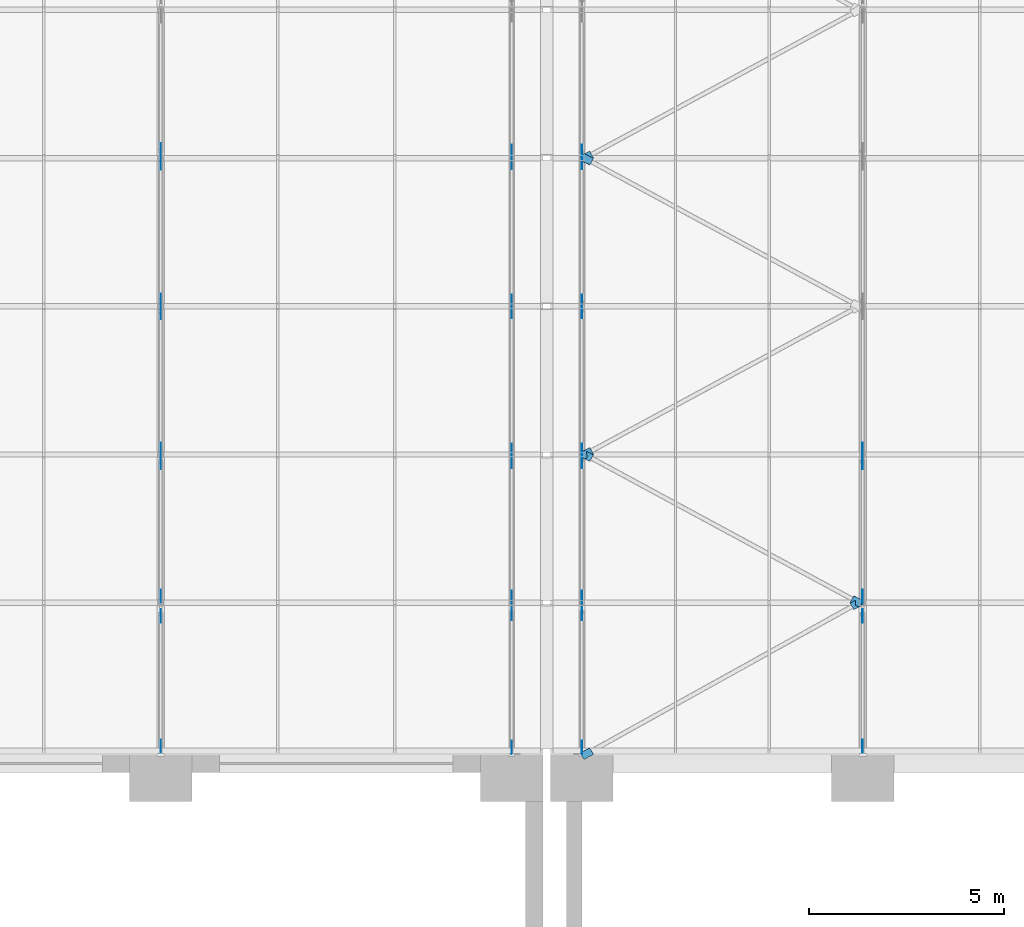
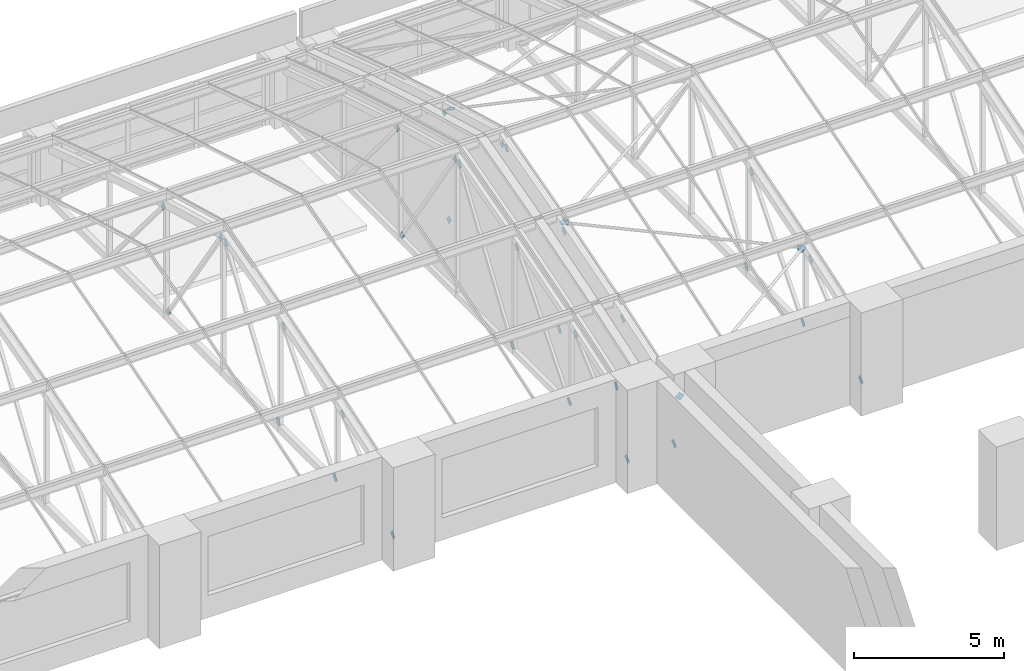
# One storey, part 71 of 82: 39 discrete accessories.
"""IFC4 building model written with IfcOpenShell, lengths in metres."""

from ifc_helpers import new_model, si_unit, direction, frame, origin, place, context, subcontext, project, spatial, polyline, outline, extrude, material, layer, layer_set, type_object, element, save


model = new_model("IFC4")

# Units and contexts
model_context = context("Model", 3, precision=1e-05, world=origin(), true_north=direction((0.0, 1.0)))
body_context = subcontext(model_context, "Body", "Model", "MODEL_VIEW")
ifc_project = project(units=[si_unit("LENGTHUNIT", "METRE"), si_unit("AREAUNIT", "SQUARE_METRE"), si_unit("VOLUMEUNIT", "CUBIC_METRE"), si_unit("PLANEANGLEUNIT", "RADIAN"), si_unit("MASSUNIT", "GRAM", prefix="KILO")], contexts=[model_context])

# Site, building, storey
site_placement = place(None, origin())
site = spatial("IfcSite", under=ifc_project, at=site_placement, CompositionType="ELEMENT")
building_placement = place(site_placement, origin())
building = spatial("IfcBuilding", under=site, at=building_placement, Name="Aravalli Gate Trade Fair Centre", CompositionType="ELEMENT")
storey_placement = place(building_placement, frame((0.0, 0.0, 19.199951171875)))
storey = spatial("IfcBuildingStorey", under=building, at=storey_placement, Name="L04", CompositionType="ELEMENT", Elevation=19.199951171875)

# Discrete accessories
ifc_material = material(Name="Steel E350", Category="steel")
ifc_layer = layer(ifc_material, 0.010009765625)
ifc_layer_set = layer_set([ifc_layer], Name="Steel E350")
discrete_accessory_type = type_object("IfcDiscreteAccessoryType", Name="Gusset plate 200 x 200 x 10", PredefinedType="USERDEFINED", material=ifc_layer_set)
discrete_accessory_1_placement = place(storey_placement, frame((95.9951171875, 109.990234375, 0.355224609375), z_axis=(-1.0, 0.0, 0.0), x_axis=(0.0, -0.756666176812, -0.653801420057)))
element("IfcDiscreteAccessory", 1, at=discrete_accessory_1_placement, inside=storey, type_object=discrete_accessory_type, Name="Gusset plate Concourse vault truss CT1 line 11 diagonal D1 end A", ObjectType="GUSSET PLATE", PredefinedType="USERDEFINED", context=body_context, shape_type="SweptSolid", body=[
    extrude(outline(polyline([(0.0, 0.0), (0.28006281897354945, 0.0), (0.28009048635135136, 0.1997461238225559), (5.27808438066657e-05, 0.2000904762631978), (0.0, 0.0)])), origin(), (0.0, 0.0, -1.0), 0.010009765625),
])
discrete_accessory_2_placement = place(storey_placement, frame((95.9951171875, 112.988525390625, 3.212158203125), z_axis=(-1.0, 0.0, 0.0), x_axis=(0.0, 0.756293179151, 0.654232853937)))
element("IfcDiscreteAccessory", 2, at=discrete_accessory_2_placement, inside=storey, type_object=discrete_accessory_type, Name="Gusset plate Concourse vault truss CT1 line 11 diagonal D1 end B", ObjectType="GUSSET PLATE", PredefinedType="USERDEFINED", context=body_context, shape_type="SweptSolid", body=[
    extrude(outline(polyline([(0.0, 0.0), (0.2798781315371493, 0.0), (0.27981679720709274, 0.20009047382409476), (-6.133433005656164e-05, 0.20009047382409473), (0.0, 0.0)])), origin(), (0.0, 0.0, -1.0), 0.010009765625),
])
discrete_accessory_3_placement = place(storey_placement, frame((96.0048828125, 113.677978515625, 0.517578125), z_axis=(1.0, 0.0, 0.0), x_axis=(0.0, -0.642926085547, -0.765928226744)))
element("IfcDiscreteAccessory", 3, at=discrete_accessory_3_placement, inside=storey, type_object=discrete_accessory_type, Name="Gusset plate Concourse vault truss CT1 line 11 diagonal D2 end A", ObjectType="GUSSET PLATE", PredefinedType="USERDEFINED", context=body_context, shape_type="SweptSolid", body=[
    extrude(outline(polyline([(0.0, 0.0), (0.2798636494456477, 2.7755575615628914e-17), (0.2799929267542597, 0.1999655872196676), (-2.768706774226859e-05, 0.20015258141565), (0.0, 0.0)])), origin(), (0.0, 0.0, -1.0), 0.010009765625),
])
discrete_accessory_4_placement = place(storey_placement, frame((95.9951171875, 116.918212890625, 4.374267578125), z_axis=(-1.0, 0.0, 0.0), x_axis=(0.0, 0.643008166301, 0.765859320025)))
element("IfcDiscreteAccessory", 4, at=discrete_accessory_4_placement, inside=storey, type_object=discrete_accessory_type, Name="Gusset plate Concourse vault truss CT1 line 11 diagonal D2 end B", ObjectType="GUSSET PLATE", PredefinedType="USERDEFINED", context=body_context, shape_type="SweptSolid", body=[
    extrude(outline(polyline([(0.0, 0.0), (0.28020760962713065, 0.0), (0.2802567470255098, 0.2001525772990151), (-0.00010784701722174606, 0.19996559992596197), (0.0, 0.0)])), origin(), (0.0, 0.0, -1.0), 0.010009765625),
])
discrete_accessory_5_placement = place(storey_placement, frame((96.0048828125, 117.432373046875, 0.521728515625), z_axis=(1.0, 0.0, 0.0), x_axis=(0.0, -0.563120416317, -0.826374852429)))
element("IfcDiscreteAccessory", 5, at=discrete_accessory_5_placement, inside=storey, type_object=discrete_accessory_type, Name="Gusset plate Concourse vault truss CT1 line 11 diagonal D3 end A", ObjectType="GUSSET PLATE", PredefinedType="USERDEFINED", context=body_context, shape_type="SweptSolid", body=[
    extrude(outline(polyline([(0.0, 0.0), (0.28007303443443027, 0.0), (0.2800062095132191, 0.19996442554114646), (0.00013492675174497926, 0.20010190611153644), (0.0, 0.0)])), origin(), (0.0, 0.0, -1.0), 0.010009765625),
])
discrete_accessory_6_placement = place(storey_placement, frame((95.9951171875, 120.77392578125, 5.423828125), z_axis=(-1.0, 0.0, 0.0), x_axis=(0.0, 0.564121160258, 0.82569202282)))
element("IfcDiscreteAccessory", 6, at=discrete_accessory_6_placement, inside=storey, type_object=discrete_accessory_type, Name="Gusset plate Concourse vault truss CT1 line 11 diagonal D3 end B", ObjectType="GUSSET PLATE", PredefinedType="USERDEFINED", context=body_context, shape_type="SweptSolid", body=[
    extrude(outline(polyline([(0.0, 0.0), (0.2800089688227054, -2.7755575615628914e-17), (0.2801803266875835, 0.19976261286755298), (0.00010749779101053292, 0.20010192272670302), (0.0, 0.0)])), origin(), (0.0, 0.0, -1.0), 0.010009765625),
])
discrete_accessory_7_placement = place(storey_placement, frame((95.9951171875, 121.2607421875, 5.31103515625), z_axis=(-1.0, 0.0, 0.0), x_axis=(0.0, -0.563120416317, 0.826374852429)))
element("IfcDiscreteAccessory", 7, at=discrete_accessory_7_placement, inside=storey, type_object=discrete_accessory_type, Name="Gusset plate Concourse vault truss CT1 line 11 diagonal D4 end A", ObjectType="GUSSET PLATE", PredefinedType="USERDEFINED", context=body_context, shape_type="SweptSolid", body=[
    extrude(outline(polyline([(0.0, 0.0), (0.28007303443443027, 0.0), (0.2800062095132191, 0.19996442554114646), (0.00013492675174497926, 0.20010190611153644), (0.0, 0.0)])), origin(), (0.0, 0.0, -1.0), 0.010009765625),
])
discrete_accessory_8_placement = place(storey_placement, frame((96.0048828125, 124.602294921875, 0.408935546875), z_axis=(1.0, 0.0, 0.0), x_axis=(0.0, 0.563526286674, -0.826098132323)))
element("IfcDiscreteAccessory", 8, at=discrete_accessory_8_placement, inside=storey, type_object=discrete_accessory_type, Name="Gusset plate Concourse vault truss CT1 line 11 diagonal D4 end B", ObjectType="GUSSET PLATE", PredefinedType="USERDEFINED", context=body_context, shape_type="SweptSolid", body=[
    extrude(outline(polyline([(0.0, 0.0), (0.279871316528615, 0.0), (0.2800363695260922, 0.19996436858870342), (-3.6631116859461854e-05, 0.20010194824853597), (0.0, 0.0)])), origin(), (0.0, 0.0, -1.0), 0.010009765625),
])
discrete_accessory_9_placement = place(storey_placement, frame((95.9951171875, 125.128662109375, 4.24560546875), z_axis=(-1.0, 0.0, 0.0), x_axis=(0.0, -0.643008166301, 0.765859320025)))
element("IfcDiscreteAccessory", 9, at=discrete_accessory_9_placement, inside=storey, type_object=discrete_accessory_type, Name="Gusset plate Concourse vault truss CT1 line 11 diagonal D5 end A", ObjectType="GUSSET PLATE", PredefinedType="USERDEFINED", context=body_context, shape_type="SweptSolid", body=[
    extrude(outline(polyline([(0.0, 0.0), (0.28020760962713065, 0.0), (0.2803154566443524, 0.19996559992596197), (0.00010784701722174606, 0.19996559992596197), (0.0, 0.0)])), origin(), (0.0, 0.0, -1.0), 0.010009765625),
])
discrete_accessory_10_placement = place(storey_placement, frame((104.9951171875, 109.958740234375, 0.306884765625), z_axis=(-1.0, 0.0, 0.0), x_axis=(0.0, -0.751387517828, -0.65986119605)))
element("IfcDiscreteAccessory", 10, at=discrete_accessory_10_placement, inside=storey, type_object=discrete_accessory_type, Name="Gusset plate Concourse vault truss CT2 line 12 diagonal D1 end A", ObjectType="GUSSET PLATE", PredefinedType="USERDEFINED", context=body_context, shape_type="SweptSolid", body=[
    extrude(outline(polyline([(0.0, 0.0), (0.28008080219175713, 0.0), (0.28008718656130066, 0.2001561567492655), (0.0001674832943605875, 0.19997271253104593), (0.0, 0.0)])), origin(), (0.0, 0.0, -1.0), 0.010009765625),
])
discrete_accessory_11_placement = place(storey_placement, frame((104.9951171875, 113.0439453125, 3.28125), z_axis=(-1.0, 0.0, 0.0), x_axis=(0.0, 0.751387517828, 0.65986119605)))
element("IfcDiscreteAccessory", 11, at=discrete_accessory_11_placement, inside=storey, type_object=discrete_accessory_type, Name="Gusset plate Concourse vault truss CT2 line 12 diagonal D1 end B", ObjectType="GUSSET PLATE", PredefinedType="USERDEFINED", context=body_context, shape_type="SweptSolid", body=[
    extrude(outline(polyline([(0.0, 0.0), (0.28008080219175713, 0.0), (0.2799037423430811, 0.19999505782444854), (-0.00017705984867599778, 0.19999505782444854), (0.0, 0.0)])), origin(), (0.0, 0.0, -1.0), 0.010009765625),
])
discrete_accessory_12_placement = place(storey_placement, frame((105.0048828125, 113.65478515625, 0.4677734375), z_axis=(1.0, 0.0, 0.0), x_axis=(0.0, -0.639154613672, -0.769078266383)))
element("IfcDiscreteAccessory", 12, at=discrete_accessory_12_placement, inside=storey, type_object=discrete_accessory_type, Name="Gusset plate Concourse vault truss CT2 line 12 diagonal D2 end A", ObjectType="GUSSET PLATE", PredefinedType="USERDEFINED", context=body_context, shape_type="SweptSolid", body=[
    extrude(outline(polyline([(0.0, 0.0), (0.27998714911398315, 0.0), (0.27987985582905256, 0.19990165302035742), (8.046996369795445e-05, 0.20005769662721085), (0.0, 0.0)])), origin(), (0.0, 0.0, -1.0), 0.010009765625),
])
discrete_accessory_13_placement = place(storey_placement, frame((104.9951171875, 116.950439453125, 4.43505859375), z_axis=(-1.0, 0.0, 0.0), x_axis=(0.0, 0.639154613672, 0.769078266383)))
element("IfcDiscreteAccessory", 13, at=discrete_accessory_13_placement, inside=storey, type_object=discrete_accessory_type, Name="Gusset plate Concourse vault truss CT2 line 12 diagonal D2 end B", ObjectType="GUSSET PLATE", PredefinedType="USERDEFINED", context=body_context, shape_type="SweptSolid", body=[
    extrude(outline(polyline([(0.0, 0.0), (0.27998714911398315, 0.0), (0.28009444239891373, 0.1999016530203574), (-8.046996369795445e-05, 0.20005769662721085), (0.0, 0.0)])), origin(), (0.0, 0.0, -1.0), 0.010009765625),
])
discrete_accessory_14_placement = place(storey_placement, frame((105.0048828125, 117.41357421875, 0.4716796875), z_axis=(1.0, 0.0, 0.0), x_axis=(0.0, -0.559922143082, -0.828545227303)))
element("IfcDiscreteAccessory", 14, at=discrete_accessory_14_placement, inside=storey, type_object=discrete_accessory_type, Name="Gusset plate Concourse vault truss CT2 line 12 diagonal D3 end A", ObjectType="GUSSET PLATE", PredefinedType="USERDEFINED", context=body_context, shape_type="SweptSolid", body=[
    extrude(outline(polyline([(0.0, 0.0), (0.27992870649326795, 0.0), (0.27995681298226976, 0.2000943537630191), (-3.74753186691279e-05, 0.19975537247142117), (0.0, 0.0)])), origin(), (0.0, 0.0, -1.0), 0.010009765625),
])
discrete_accessory_15_placement = place(storey_placement, frame((104.9951171875, 120.797607421875, 5.481201171875), z_axis=(-1.0, 0.0, 0.0), x_axis=(0.0, 0.559322982609, 0.828949818219)))
element("IfcDiscreteAccessory", 15, at=discrete_accessory_15_placement, inside=storey, type_object=discrete_accessory_type, Name="Gusset plate Concourse vault truss CT2 line 12 diagonal D3 end B", ObjectType="GUSSET PLATE", PredefinedType="USERDEFINED", context=body_context, shape_type="SweptSolid", body=[
    extrude(outline(polyline([(0.0, 0.0), (0.2797920798731574, 0.0), (0.2798216913104345, 0.19995772768692557), (-0.0003093223519876065, 0.19989190082276292), (0.0, 0.0)])), origin(), (0.0, 0.0, -1.0), 0.010009765625),
])
discrete_accessory_16_placement = place(storey_placement, frame((104.9951171875, 121.23681640625, 5.369140625), z_axis=(-1.0, 0.0, 0.0), x_axis=(0.0, -0.559517758756, 0.82881836227)))
element("IfcDiscreteAccessory", 16, at=discrete_accessory_16_placement, inside=storey, type_object=discrete_accessory_type, Name="Gusset plate Concourse vault truss CT2 line 12 diagonal D4 end A", ObjectType="GUSSET PLATE", PredefinedType="USERDEFINED", context=body_context, shape_type="SweptSolid", body=[
    extrude(outline(polyline([(0.0, 0.0), (0.2801310213966175, 0.0), (0.28005442269643727, 0.19995771520797853), (0.0001257495327958852, 0.20009431622329993), (0.0, 0.0)])), origin(), (0.0, 0.0, -1.0), 0.010009765625),
])
discrete_accessory_17_placement = place(storey_placement, frame((105.0048828125, 124.620849609375, 0.35986328125), z_axis=(1.0, 0.0, 0.0), x_axis=(0.0, 0.559517758756, -0.82881836227)))
element("IfcDiscreteAccessory", 17, at=discrete_accessory_17_placement, inside=storey, type_object=discrete_accessory_type, Name="Gusset plate Concourse vault truss CT2 line 12 diagonal D4 end B", ObjectType="GUSSET PLATE", PredefinedType="USERDEFINED", context=body_context, shape_type="SweptSolid", body=[
    extrude(outline(polyline([(0.0, 0.0), (0.2801310213966175, 0.0), (0.2798686708485002, 0.19989196799032383), (7.65987001802304e-05, 0.1999577152079785), (0.0, 0.0)])), origin(), (0.0, 0.0, -1.0), 0.010009765625),
])
discrete_accessory_18_placement = place(storey_placement, frame((104.9951171875, 125.095703125, 4.30712890625), z_axis=(-1.0, 0.0, 0.0), x_axis=(0.0, -0.638726175947, 0.76943412464)))
element("IfcDiscreteAccessory", 18, at=discrete_accessory_18_placement, inside=storey, type_object=discrete_accessory_type, Name="Gusset plate Concourse vault truss CT2 line 12 diagonal D5 end A", ObjectType="GUSSET PLATE", PredefinedType="USERDEFINED", context=body_context, shape_type="SweptSolid", body=[
    extrude(outline(polyline([(0.0, 0.0), (0.28017495581690455, 0.0), (0.2800230588843413, 0.20008953190135664), (0.0001918922033221776, 0.20005762078107026), (0.0, 0.0)])), origin(), (0.0, 0.0, -1.0), 0.010009765625),
])
discrete_accessory_19_placement = place(storey_placement, frame((106.804931640625, 109.82666015625, 0.45703125), z_axis=(1.0, 0.0, 0.0), x_axis=(0.0, -0.751819793684, -0.65936863576)))
element("IfcDiscreteAccessory", 19, at=discrete_accessory_19_placement, inside=storey, type_object=discrete_accessory_type, Name="Gusset plate Concourse vault truss CT2 line 12A diagonal D1 end A", ObjectType="GUSSET PLATE", PredefinedType="USERDEFINED", context=body_context, shape_type="SweptSolid", body=[
    extrude(outline(polyline([(0.0, 0.0), (0.279919763376638, 0.0), (0.2797822075282748, 0.20015610958395777), (-0.000298534519203128, 0.1999725598296403), (0.0, 0.0)])), origin(), (0.0, 0.0, -1.0), 0.010009765625),
])
discrete_accessory_20_placement = place(storey_placement, frame((106.794921875, 113.0439453125, 3.28125), z_axis=(-1.0, 0.0, 0.0), x_axis=(0.0, 0.751387517828, 0.65986119605)))
element("IfcDiscreteAccessory", 20, at=discrete_accessory_20_placement, inside=storey, type_object=discrete_accessory_type, Name="Gusset plate Concourse vault truss CT2 line 12A diagonal D1 end B", ObjectType="GUSSET PLATE", PredefinedType="USERDEFINED", context=body_context, shape_type="SweptSolid", body=[
    extrude(outline(polyline([(0.0, 0.0), (0.28008080219175713, 0.0), (0.2799037423430811, 0.19999505782444854), (-0.00017705984867599778, 0.19999505782444854), (0.0, 0.0)])), origin(), (0.0, 0.0, -1.0), 0.010009765625),
])
discrete_accessory_21_placement = place(storey_placement, frame((106.804931640625, 113.65478515625, 0.4677734375), z_axis=(1.0, 0.0, 0.0), x_axis=(0.0, -0.639154613672, -0.769078266383)))
element("IfcDiscreteAccessory", 21, at=discrete_accessory_21_placement, inside=storey, type_object=discrete_accessory_type, Name="Gusset plate Concourse vault truss CT2 line 12A diagonal D2 end A", ObjectType="GUSSET PLATE", PredefinedType="USERDEFINED", context=body_context, shape_type="SweptSolid", body=[
    extrude(outline(polyline([(0.0, 0.0), (0.27998714911398315, 0.0), (0.27987985582905256, 0.19990165302035742), (8.046996369795445e-05, 0.20005769662721085), (0.0, 0.0)])), origin(), (0.0, 0.0, -1.0), 0.010009765625),
])
discrete_accessory_22_placement = place(storey_placement, frame((106.794921875, 116.950439453125, 4.43505859375), z_axis=(-1.0, 0.0, 0.0), x_axis=(0.0, 0.639154613672, 0.769078266383)))
element("IfcDiscreteAccessory", 22, at=discrete_accessory_22_placement, inside=storey, type_object=discrete_accessory_type, Name="Gusset plate Concourse vault truss CT2 line 12A diagonal D2 end B", ObjectType="GUSSET PLATE", PredefinedType="USERDEFINED", context=body_context, shape_type="SweptSolid", body=[
    extrude(outline(polyline([(0.0, 0.0), (0.27998714911398315, 0.0), (0.28009444239891373, 0.1999016530203574), (-8.046996369795445e-05, 0.20005769662721085), (0.0, 0.0)])), origin(), (0.0, 0.0, -1.0), 0.010009765625),
])
discrete_accessory_23_placement = place(storey_placement, frame((106.804931640625, 117.41357421875, 0.4716796875), z_axis=(1.0, 0.0, 0.0), x_axis=(0.0, -0.559922143082, -0.828545227303)))
element("IfcDiscreteAccessory", 23, at=discrete_accessory_23_placement, inside=storey, type_object=discrete_accessory_type, Name="Gusset plate Concourse vault truss CT2 line 12A diagonal D3 end A", ObjectType="GUSSET PLATE", PredefinedType="USERDEFINED", context=body_context, shape_type="SweptSolid", body=[
    extrude(outline(polyline([(0.0, 0.0), (0.27992870649326795, 0.0), (0.27995681298226976, 0.2000943537630191), (-3.74753186691279e-05, 0.19975537247142117), (0.0, 0.0)])), origin(), (0.0, 0.0, -1.0), 0.010009765625),
])
discrete_accessory_24_placement = place(storey_placement, frame((106.794921875, 120.797607421875, 5.481201171875), z_axis=(-1.0, 0.0, 0.0), x_axis=(0.0, 0.559322982609, 0.828949818219)))
element("IfcDiscreteAccessory", 24, at=discrete_accessory_24_placement, inside=storey, type_object=discrete_accessory_type, Name="Gusset plate Concourse vault truss CT2 line 12A diagonal D3 end B", ObjectType="GUSSET PLATE", PredefinedType="USERDEFINED", context=body_context, shape_type="SweptSolid", body=[
    extrude(outline(polyline([(0.0, 0.0), (0.2797920798731574, 0.0), (0.2798216913104345, 0.19995772768692557), (-0.0003093223519876065, 0.19989190082276292), (0.0, 0.0)])), origin(), (0.0, 0.0, -1.0), 0.010009765625),
])
discrete_accessory_25_placement = place(storey_placement, frame((106.794921875, 121.23681640625, 5.369140625), z_axis=(-1.0, 0.0, 0.0), x_axis=(0.0, -0.559517758756, 0.82881836227)))
element("IfcDiscreteAccessory", 25, at=discrete_accessory_25_placement, inside=storey, type_object=discrete_accessory_type, Name="Gusset plate Concourse vault truss CT2 line 12A diagonal D4 end A", ObjectType="GUSSET PLATE", PredefinedType="USERDEFINED", context=body_context, shape_type="SweptSolid", body=[
    extrude(outline(polyline([(0.0, 0.0), (0.2801310213966175, 0.0), (0.28005442269643727, 0.19995771520797853), (0.0001257495327958852, 0.20009431622329993), (0.0, 0.0)])), origin(), (0.0, 0.0, -1.0), 0.010009765625),
])
discrete_accessory_26_placement = place(storey_placement, frame((106.804931640625, 124.620849609375, 0.35986328125), z_axis=(1.0, 0.0, 0.0), x_axis=(0.0, 0.559517758756, -0.82881836227)))
element("IfcDiscreteAccessory", 26, at=discrete_accessory_26_placement, inside=storey, type_object=discrete_accessory_type, Name="Gusset plate Concourse vault truss CT2 line 12A diagonal D4 end B", ObjectType="GUSSET PLATE", PredefinedType="USERDEFINED", context=body_context, shape_type="SweptSolid", body=[
    extrude(outline(polyline([(0.0, 0.0), (0.2801310213966175, 0.0), (0.2798686708485002, 0.19989196799032383), (7.65987001802304e-05, 0.1999577152079785), (0.0, 0.0)])), origin(), (0.0, 0.0, -1.0), 0.010009765625),
])
discrete_accessory_27_placement = place(storey_placement, frame((106.794921875, 125.095703125, 4.30712890625), z_axis=(-1.0, 0.0, 0.0), x_axis=(0.0, -0.638726175947, 0.76943412464)))
element("IfcDiscreteAccessory", 27, at=discrete_accessory_27_placement, inside=storey, type_object=discrete_accessory_type, Name="Gusset plate Concourse vault truss CT2 line 12A diagonal D5 end A", ObjectType="GUSSET PLATE", PredefinedType="USERDEFINED", context=body_context, shape_type="SweptSolid", body=[
    extrude(outline(polyline([(0.0, 0.0), (0.28017495581690455, 0.0), (0.2800230588843413, 0.20008953190135664), (0.0001918922033221776, 0.20005762078107026), (0.0, 0.0)])), origin(), (0.0, 0.0, -1.0), 0.010009765625),
])
discrete_accessory_28_placement = place(storey_placement, frame((114.0048828125, 109.859375, 0.506591796875), z_axis=(1.0, 0.0, 0.0), x_axis=(0.0, -0.75586164892, -0.654731370633)))
element("IfcDiscreteAccessory", 28, at=discrete_accessory_28_placement, inside=storey, type_object=discrete_accessory_type, Name="Gusset plate Concourse vault truss CT1 line 13 diagonal D1 end A", ObjectType="GUSSET PLATE", PredefinedType="USERDEFINED", context=body_context, shape_type="SweptSolid", body=[
    extrude(outline(polyline([(0.0, 0.0), (0.28003791722646004, 0.0), (0.2802558704124233, 0.19974600682874327), (0.0001932631766158044, 0.20009038989015776), (0.0, 0.0)])), origin(), (0.0, 0.0, -1.0), 0.010009765625),
])
discrete_accessory_29_placement = place(storey_placement, frame((113.9951171875, 112.988525390625, 3.212158203125), z_axis=(-1.0, 0.0, 0.0), x_axis=(0.0, 0.756293179151, 0.654232853937)))
element("IfcDiscreteAccessory", 29, at=discrete_accessory_29_placement, inside=storey, type_object=discrete_accessory_type, Name="Gusset plate Concourse vault truss CT1 line 13 diagonal D1 end B", ObjectType="GUSSET PLATE", PredefinedType="USERDEFINED", context=body_context, shape_type="SweptSolid", body=[
    extrude(outline(polyline([(0.0, 0.0), (0.2798781315371493, 0.0), (0.27981679720709274, 0.20009047382409476), (-6.133433005656164e-05, 0.20009047382409473), (0.0, 0.0)])), origin(), (0.0, 0.0, -1.0), 0.010009765625),
])
discrete_accessory_30_placement = place(storey_placement, frame((114.0048828125, 113.677978515625, 0.517578125), z_axis=(1.0, 0.0, 0.0), x_axis=(0.0, -0.642926085547, -0.765928226744)))
element("IfcDiscreteAccessory", 30, at=discrete_accessory_30_placement, inside=storey, type_object=discrete_accessory_type, Name="Gusset plate Concourse vault truss CT1 line 13 diagonal D2 end A", ObjectType="GUSSET PLATE", PredefinedType="USERDEFINED", context=body_context, shape_type="SweptSolid", body=[
    extrude(outline(polyline([(0.0, 0.0), (0.2798636494456477, 2.7755575615628914e-17), (0.2799929267542597, 0.1999655872196676), (-2.768706774226859e-05, 0.20015258141565), (0.0, 0.0)])), origin(), (0.0, 0.0, -1.0), 0.010009765625),
])
discrete_accessory_31_placement = place(storey_placement, frame((113.9951171875, 116.918212890625, 4.374267578125), z_axis=(-1.0, 0.0, 0.0), x_axis=(0.0, 0.643008166301, 0.765859320025)))
element("IfcDiscreteAccessory", 31, at=discrete_accessory_31_placement, inside=storey, type_object=discrete_accessory_type, Name="Gusset plate Concourse vault truss CT1 line 13 diagonal D2 end B", ObjectType="GUSSET PLATE", PredefinedType="USERDEFINED", context=body_context, shape_type="SweptSolid", body=[
    extrude(outline(polyline([(0.0, 0.0), (0.28020760962713065, 0.0), (0.2802567470255098, 0.2001525772990151), (-0.00010784701722174606, 0.19996559992596197), (0.0, 0.0)])), origin(), (0.0, 0.0, -1.0), 0.010009765625),
])
discrete_accessory_32_placement = place(storey_placement, frame((114.0048828125, 117.432373046875, 0.521728515625), z_axis=(1.0, 0.0, 0.0), x_axis=(0.0, -0.563120416317, -0.826374852429)))
element("IfcDiscreteAccessory", 32, at=discrete_accessory_32_placement, inside=storey, type_object=discrete_accessory_type, Name="Gusset plate Concourse vault truss CT1 line 13 diagonal D3 end A", ObjectType="GUSSET PLATE", PredefinedType="USERDEFINED", context=body_context, shape_type="SweptSolid", body=[
    extrude(outline(polyline([(0.0, 0.0), (0.28007303443443027, 0.0), (0.2800062095132191, 0.19996442554114646), (0.00013492675174497926, 0.20010190611153644), (0.0, 0.0)])), origin(), (0.0, 0.0, -1.0), 0.010009765625),
])
discrete_accessory_33_placement = place(storey_placement, frame((107.09814453125, 109.6123046875, 2.274169921875), z_axis=(0.003294131181, -0.312495439515, 0.949913548162), x_axis=(-0.863776406168, -0.479522123206, -0.154754171198)))
element("IfcDiscreteAccessory", 33, at=discrete_accessory_33_placement, inside=storey, type_object=discrete_accessory_type, Name="Gusset plate Vault plan brace 13.1 end A", ObjectType="GUSSET PLATE", PredefinedType="USERDEFINED", context=body_context, shape_type="SweptSolid", body=[
    extrude(outline(polyline([(0.0, 0.0), (0.2800990792844771, -1.214306433183765e-17), (0.2798859035933977, -0.19999513775563713), (3.548900066042797e-05, -0.2000518659630972), (0.0, 0.0)])), origin(), (0.0, 0.0, -1.0), 0.010009765625),
])
discrete_accessory_34_placement = place(storey_placement, frame((113.777587890625, 113.320556640625, 3.46875), z_axis=(0.00394405414, -0.312772220012, 0.949819973903), x_axis=(0.863894198382, 0.479457462851, 0.154296323087)))
element("IfcDiscreteAccessory", 34, at=discrete_accessory_34_placement, inside=storey, type_object=discrete_accessory_type, Name="Gusset plate Vault plan brace 13.1 end B", ObjectType="GUSSET PLATE", PredefinedType="USERDEFINED", context=body_context, shape_type="SweptSolid", body=[
    extrude(outline(polyline([(0.0, 0.0), (0.28006132918729154, -3.469446951953614e-18), (0.2800162098396928, 0.20011817984628902), (0.0001657923219280863, 0.199995216497079), (0.0, 0.0)])), origin(), (0.0, 0.0, -1.0), 0.010009765625),
])
discrete_accessory_35_placement = place(storey_placement, frame((106.999755859375, 117.12109375, 4.650146484375), z_axis=(0.003598198608, -0.289620922144, 0.957134668907), x_axis=(-0.870133816617, 0.470777567877, 0.145724475512)))
element("IfcDiscreteAccessory", 35, at=discrete_accessory_35_placement, inside=storey, type_object=discrete_accessory_type, Name="Gusset plate Vault plan brace 13.2 end A", ObjectType="GUSSET PLATE", PredefinedType="USERDEFINED", context=body_context, shape_type="SweptSolid", body=[
    extrude(outline(polyline([(0.0, 0.0), (0.2800169489863058, -1.0408340855860843e-17), (0.27987284665698087, -0.19989208508457723), (-2.9166399667394406e-05, -0.20009554201526009), (0.0, 0.0)])), origin(), (0.0, 0.0, -1.0), 0.010009765625),
])
discrete_accessory_36_placement = place(storey_placement, frame((113.6767578125, 113.510009765625, 3.529541015625), z_axis=(-0.010287679964, -0.31300516612, 0.949695703698), x_axis=(0.87048994028, -0.470177832407, -0.145533741053)))
element("IfcDiscreteAccessory", 36, at=discrete_accessory_36_placement, inside=storey, type_object=discrete_accessory_type, Name="Gusset plate Vault plan brace 13.2 end B", ObjectType="GUSSET PLATE", PredefinedType="USERDEFINED", context=body_context, shape_type="SweptSolid", body=[
    extrude(outline(polyline([(0.0, 0.0), (0.2799020866265563, -1.5612511283791264e-17), (0.28000004801307976, 0.19977250489847587), (-1.682812334153315e-05, 0.1999739705605473), (0.0, 0.0)])), origin(), (0.0, 0.0, -1.0), 0.010009765625),
])
discrete_accessory_37_placement = place(storey_placement, frame((107.098388671875, 117.309814453125, 4.704345703125), z_axis=(0.017541508207, -0.289322630821, 0.95707090165), x_axis=(-0.872327366459, -0.472204489622, -0.126759164192)))
element("IfcDiscreteAccessory", 37, at=discrete_accessory_37_placement, inside=storey, type_object=discrete_accessory_type, Name="Gusset plate Vault plan brace 13.3 end A", ObjectType="GUSSET PLATE", PredefinedType="USERDEFINED", context=body_context, shape_type="SweptSolid", body=[
    extrude(outline(polyline([(0.0, 0.0), (0.28015493310764816, -1.734723475976807e-18), (0.28012753630311904, -0.19991118700454275), (-5.834386609926672e-05, -0.1999748264643891), (0.0, 0.0)])), origin(), (0.0, 0.0, -1.0), 0.010009765625),
])
discrete_accessory_38_placement = place(storey_placement, frame((107.00048828125, 124.722900390625, 4.754150390625), z_axis=(0.002833131279, 0.266257954212, 0.963897647671), x_axis=(-0.872275842898, 0.472013477412, -0.127820698784)))
element("IfcDiscreteAccessory", 38, at=discrete_accessory_38_placement, inside=storey, type_object=discrete_accessory_type, Name="Gusset plate Vault plan brace 13.4 end A", ObjectType="GUSSET PLATE", PredefinedType="USERDEFINED", context=body_context, shape_type="SweptSolid", body=[
    extrude(outline(polyline([(0.0, 0.0), (0.2798888615476955, -6.938893903907228e-18), (0.2800648142444025, -0.20001677944561844), (-5.799047461406241e-06, -0.20019319390262436), (0.0, 0.0)])), origin(), (0.0, 0.0, -1.0), 0.010009765625),
])
discrete_accessory_39_placement = place(storey_placement, frame((107.098388671875, 124.911376953125, 4.697509765625), z_axis=(0.017281793594, 0.266105362052, 0.963789020428), x_axis=(-0.870134394202, -0.470816135611, 0.145596368346)))
element("IfcDiscreteAccessory", 39, at=discrete_accessory_39_placement, inside=storey, type_object=discrete_accessory_type, Name="Gusset plate Vault plan brace 13.5 end A", ObjectType="GUSSET PLATE", PredefinedType="USERDEFINED", context=body_context, shape_type="SweptSolid", body=[
    extrude(outline(polyline([(0.0, 0.0), (0.2800169512102126, 8.673617379884035e-18), (0.2801384947684509, -0.20005022730723027), (-9.08915965961328e-05, -0.19992998526708036), (0.0, 0.0)])), origin(), (0.0, 0.0, -1.0), 0.010009765625),
])

save(model, "model.ifc")
